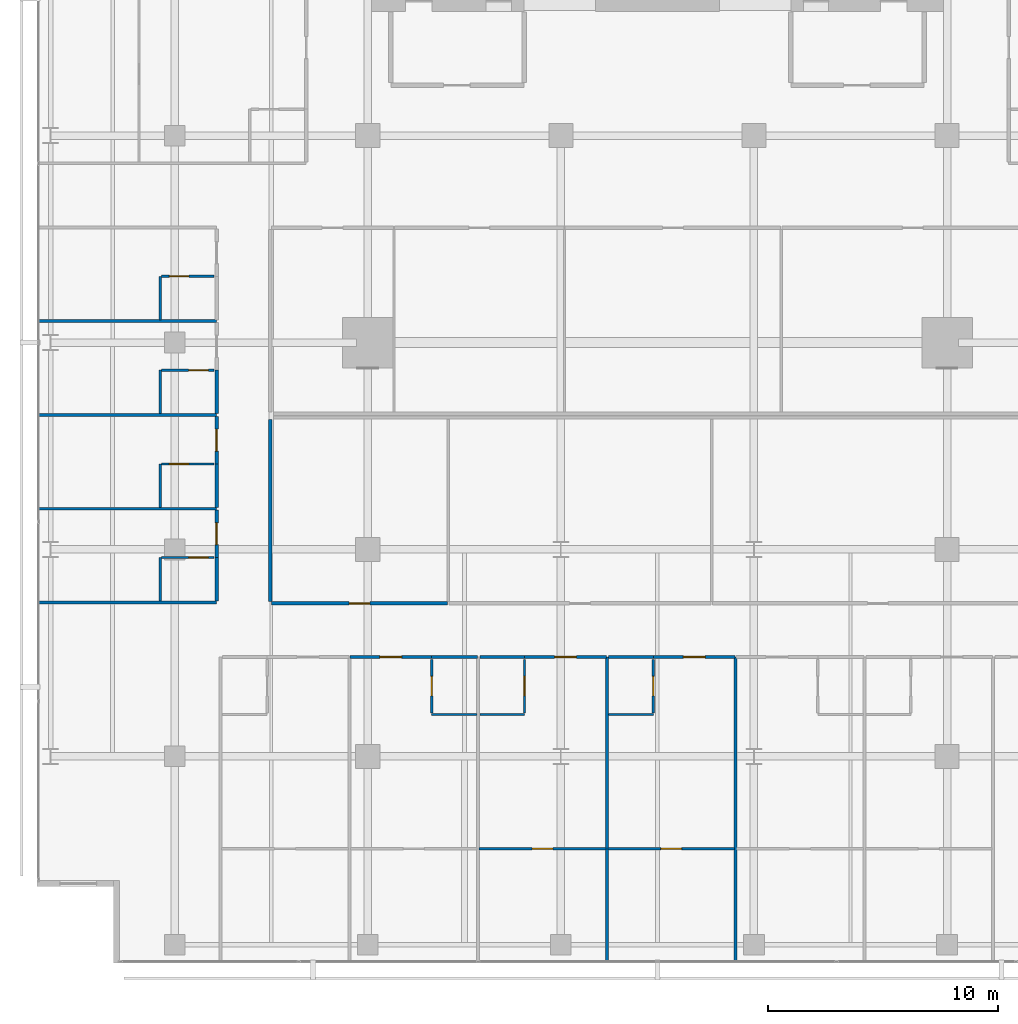
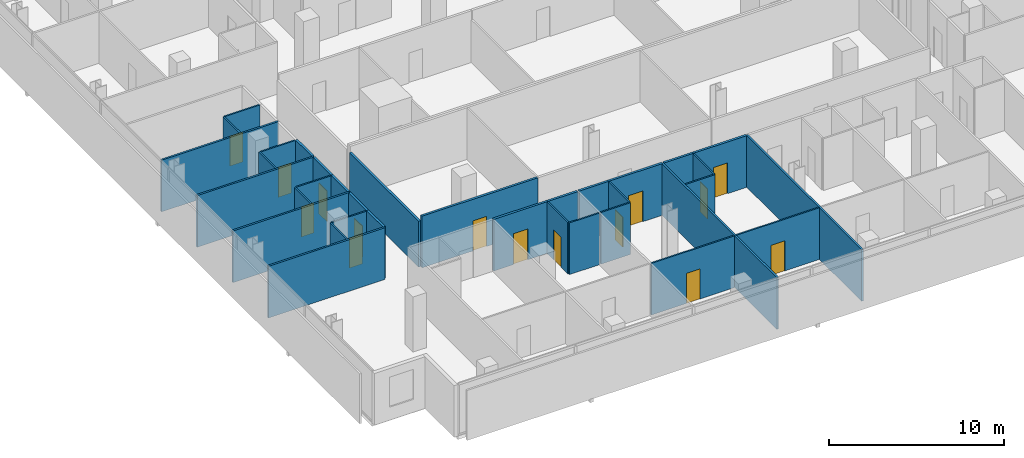
# One storey, part 33 of 40: 35 walls, 15 doors, 15 openings.
"""IFC4 building model written with IfcOpenShell, lengths in metres."""

from ifc_helpers import new_model, si_unit, direction, frame, frame_2d, origin, place, context, subcontext, project, spatial, rectangle, extrude, material, layer, layer_set, type_object, element, fill, save


model = new_model("IFC4")

# Units and contexts
model_context = context("Model", 3, precision=1e-05, world=origin(), true_north=direction((0.0, 1.0)))
body_context = subcontext(model_context, "Body", "Model", "MODEL_VIEW")
ifc_project = project(units=[si_unit("LENGTHUNIT", "METRE"), si_unit("AREAUNIT", "SQUARE_METRE"), si_unit("VOLUMEUNIT", "CUBIC_METRE"), si_unit("PLANEANGLEUNIT", "RADIAN"), si_unit("MASSUNIT", "GRAM", prefix="KILO")], contexts=[model_context])

# Site, building, storey
site_placement = place(None, origin())
site = spatial("IfcSite", under=ifc_project, at=site_placement, CompositionType="ELEMENT")
building_placement = place(site_placement, origin())
building = spatial("IfcBuilding", under=site, at=building_placement, Name="Maruvema Waterfront Hotel and Observation Tower", CompositionType="ELEMENT")
storey_placement = place(building_placement, frame((0.0, 0.0, 57.75)))
storey = spatial("IfcBuildingStorey", under=building, at=storey_placement, Name="L13", CompositionType="ELEMENT", Elevation=57.75)

# Wall
ifc_material_1 = material(Name="Twin-stud acoustic gypsum drywall", Category="gypsum")
ifc_layer_1 = layer(ifc_material_1, 0.14990234375, Name="Acoustic Corridor and Suite Demising Wall 150 mm")
ifc_layer_set_1 = layer_set([ifc_layer_1], Name="Twin-stud acoustic gypsum drywall")
wall_type_1 = type_object("IfcWallType", Name="Acoustic Corridor and Suite Demising Wall 150 mm", PredefinedType="PARTITIONING", material=ifc_layer_set_1)
wall_1_placement = place(storey_placement, frame((20.949951171875, 15.72998046875, 0.0), z_axis=(0.0, 0.0, 1.0), x_axis=(0.0, 1.0, 0.0)))
element("IfcWall", 1, at=wall_1_placement, inside=storey, type_object=wall_type_1, Name="L13 L13-INTS West Wall 023", PredefinedType="PARTITIONING", context=body_context, shape_type="SweptSolid", body=[
    extrude(rectangle(XDim=7.929931640625, YDim=0.14990234375, at=frame_2d((3.96484375, 0.0))), origin(), (0.0, 0.0, 1.0), 3.20703125),
])

# Wall, opening, door
wall_2_placement = place(storey_placement, frame((21.010009765625, 15.64990234375, 0.0), z_axis=(0.0, 0.0, 1.0), x_axis=(1.0, 0.0, 0.0)))
wall_2 = element("IfcWall", 2, at=wall_2_placement, inside=storey, type_object=wall_type_1, Name="L13 L13-INTS Front 1 025", PredefinedType="PARTITIONING", context=body_context, shape_type="SweptSolid", body=[
    extrude(rectangle(XDim=7.660888671875, YDim=0.14990234375, at=frame_2d((3.83056640625, 0.0))), origin(), (0.0, 0.0, 1.0), 3.610107421875),
])
opening_1_placement = place(wall_2_placement, frame((3.380615234375, 0.0, 0.0)))
opening_1 = element("IfcOpeningElement", 3, at=opening_1_placement, cuts=wall_2, Name="Opening DR-090", PredefinedType="OPENING", context=body_context, shape_type="SweptSolid", body=[
    extrude(rectangle(XDim=0.89990234375, YDim=2.10009765625, at=frame_2d((0.449951171875, 1.050048828125))), frame((0.0, 0.0849609375, 0.0), z_axis=(0.0, -1.0, 0.0), x_axis=(1.0, 0.0, 0.0)), (0.0, 0.0, 1.0), 0.169921875),
])
ifc_material_2 = material(Name="Solid-core lacquered timber leaf", Category="wood")
door_type_1 = type_object("IfcDoorType", Name="Accessible Toilet and Room Door 900x2100 mm", OperationType="NOTDEFINED", PredefinedType="DOOR", material=ifc_material_2)
door_1_placement = place(opening_1_placement, frame((0.89990234375, 0.0, 0.0), z_axis=(0.0, 0.0, 1.0), x_axis=(-1.0, 0.0, 0.0)))
door_1 = element("IfcDoor", 4, at=door_1_placement, inside=storey, type_object=door_type_1, Name="L13 Executive Business Office Door", OperationType="SINGLE_SWING_LEFT", OverallHeight=2.10009765625, OverallWidth=0.89990234375, PredefinedType="DOOR", context=body_context, shape_type="SweptSolid", body=[
    extrude(rectangle(XDim=0.89990234375, YDim=2.10009765625, at=frame_2d((0.449951171875, 1.050048828125))), frame((0.0, 0.02490234375, 0.0), z_axis=(0.0, -1.0, 0.0), x_axis=(1.0, 0.0, 0.0)), (0.0, 0.0, 1.0), 0.050048828125),
])
fill(opening_1, door_1)

# Wall
wall_3_placement = place(storey_placement, frame((27.97998046875, 13.320068359375, 0.0), z_axis=(0.0, 0.0, 1.0), x_axis=(1.0, 0.0, 0.0)))
element("IfcWall", 5, at=wall_3_placement, inside=storey, type_object=wall_type_1, Name="L13 Bath L13-S2 Back Wall 038", PredefinedType="PARTITIONING", context=body_context, shape_type="SweptSolid", body=[
    extrude(rectangle(XDim=2.0, YDim=0.14990234375, at=frame_2d((1.0, 0.0))), origin(), (0.0, 0.0, 1.0), 3.610107421875),
])

# Wall, opening, door
wall_4_placement = place(storey_placement, frame((24.419921875, 13.320068359375, 0.0), z_axis=(0.0, 0.0, 1.0), x_axis=(1.0, 0.0, 0.0)))
wall_4 = element("IfcWall", 6, at=wall_4_placement, inside=storey, type_object=wall_type_1, Name="L13 Unit L13-S2 Corridor Wall 041", PredefinedType="PARTITIONING", context=body_context, shape_type="SweptSolid", body=[
    extrude(rectangle(XDim=3.56005859375, YDim=0.14990234375, at=frame_2d((1.780029296875, 0.0))), origin(), (0.0, 0.0, 1.0), 3.610107421875),
])
opening_2_placement = place(wall_4_placement, frame((1.304931640625, 0.0, 0.0)))
opening_2 = element("IfcOpeningElement", 7, at=opening_2_placement, cuts=wall_4, Name="Opening DR-095", PredefinedType="OPENING", context=body_context, shape_type="SweptSolid", body=[
    extrude(rectangle(XDim=0.949951171875, YDim=2.14990234375, at=frame_2d((0.47509765625, 1.074951171875))), frame((0.0, 0.0849609375, 0.0), z_axis=(0.0, -1.0, 0.0), x_axis=(1.0, 0.0, 0.0)), (0.0, 0.0, 1.0), 0.169921875),
])
ifc_material_3 = material(Name="Acoustic solid-core hardwood timber leaf", Category="wood")
door_type_2 = type_object("IfcDoorType", Name="Guestroom Entrance Fire Door 950x2150 mm", OperationType="NOTDEFINED", PredefinedType="DOOR", material=ifc_material_3)
door_2_placement = place(opening_2_placement, frame((0.949951171875, 0.0, 0.0), z_axis=(0.0, 0.0, 1.0), x_axis=(-1.0, 0.0, 0.0)))
door_2 = element("IfcDoor", 8, at=door_2_placement, inside=storey, type_object=door_type_2, Name="L13 Unit L13-S2 Entrance Door", OperationType="SINGLE_SWING_RIGHT", OverallHeight=2.14990234375, OverallWidth=0.949951171875, PredefinedType="DOOR", context=body_context, shape_type="SweptSolid", body=[
    extrude(rectangle(XDim=0.949951171875, YDim=2.14990234375, at=frame_2d((0.47509765625, 1.074951171875))), frame((0.0, 0.02490234375, 0.0), z_axis=(0.0, -1.0, 0.0), x_axis=(1.0, 0.0, 0.0)), (0.0, 0.0, 1.0), 0.050048828125),
])
fill(opening_2, door_2)

# Wall
wall_5_placement = place(storey_placement, frame((30.080078125, 13.320068359375, 0.0), z_axis=(0.0, 0.0, 1.0), x_axis=(1.0, 0.0, 0.0)))
element("IfcWall", 9, at=wall_5_placement, inside=storey, type_object=wall_type_1, Name="L13 Bath L13-S3 Back Wall 044", PredefinedType="PARTITIONING", context=body_context, shape_type="SweptSolid", body=[
    extrude(rectangle(XDim=1.93994140625, YDim=0.14990234375, at=frame_2d((0.969970703125, 0.0))), origin(), (0.0, 0.0, 1.0), 3.610107421875),
])

# Wall, opening, door
wall_6_placement = place(storey_placement, frame((32.02001953125, 13.320068359375, 0.0), z_axis=(0.0, 0.0, 1.0), x_axis=(1.0, 0.0, 0.0)))
wall_6 = element("IfcWall", 10, at=wall_6_placement, inside=storey, type_object=wall_type_1, Name="L13 Unit L13-S3 Corridor Wall 047", PredefinedType="PARTITIONING", context=body_context, shape_type="SweptSolid", body=[
    extrude(rectangle(XDim=3.56005859375, YDim=0.14990234375, at=frame_2d((1.780029296875, 0.0))), origin(), (0.0, 0.0, 1.0), 3.610107421875),
])
opening_3_placement = place(wall_6_placement, frame((1.304931640625, 0.0, 0.0)))
opening_3 = element("IfcOpeningElement", 11, at=opening_3_placement, cuts=wall_6, Name="Opening DR-095", PredefinedType="OPENING", context=body_context, shape_type="SweptSolid", body=[
    extrude(rectangle(XDim=0.949951171875, YDim=2.14990234375, at=frame_2d((0.47509765625, 1.074951171875))), frame((0.0, 0.0849609375, 0.0), z_axis=(0.0, -1.0, 0.0), x_axis=(1.0, 0.0, 0.0)), (0.0, 0.0, 1.0), 0.169921875),
])
door_3_placement = place(opening_3_placement, frame((0.949951171875, 0.0, 0.0), z_axis=(0.0, 0.0, 1.0), x_axis=(-1.0, 0.0, 0.0)))
door_3 = element("IfcDoor", 12, at=door_3_placement, inside=storey, type_object=door_type_2, Name="L13 Unit L13-S3 Entrance Door", OperationType="SINGLE_SWING_LEFT", OverallHeight=2.14990234375, OverallWidth=0.949951171875, PredefinedType="DOOR", context=body_context, shape_type="SweptSolid", body=[
    extrude(rectangle(XDim=0.949951171875, YDim=2.14990234375, at=frame_2d((0.47509765625, 1.074951171875))), frame((0.0, 0.02490234375, 0.0), z_axis=(0.0, -1.0, 0.0), x_axis=(1.0, 0.0, 0.0)), (0.0, 0.0, 1.0), 0.050048828125),
])
fill(opening_3, door_3)

# Wall
wall_7_placement = place(storey_placement, frame((35.679931640625, 13.320068359375, 0.0), z_axis=(0.0, 0.0, 1.0), x_axis=(1.0, 0.0, 0.0)))
element("IfcWall", 13, at=wall_7_placement, inside=storey, type_object=wall_type_1, Name="L13 Bath L13-S4 Back Wall 050", PredefinedType="PARTITIONING", context=body_context, shape_type="SweptSolid", body=[
    extrude(rectangle(XDim=1.940185546875, YDim=0.14990234375, at=frame_2d((0.97021484375, 0.0))), origin(), (0.0, 0.0, 1.0), 3.610107421875),
])

# Wall, opening, door
wall_8_placement = place(storey_placement, frame((37.6201171875, 13.320068359375, 0.0), z_axis=(0.0, 0.0, 1.0), x_axis=(1.0, 0.0, 0.0)))
wall_8 = element("IfcWall", 14, at=wall_8_placement, inside=storey, type_object=wall_type_1, Name="L13 Unit L13-S4 Corridor Wall 053", PredefinedType="PARTITIONING", context=body_context, shape_type="SweptSolid", body=[
    extrude(rectangle(XDim=3.559814453125, YDim=0.14990234375, at=frame_2d((1.77978515625, 0.0))), origin(), (0.0, 0.0, 1.0), 3.610107421875),
])
opening_4_placement = place(wall_8_placement, frame((1.304931640625, 0.0, 0.0)))
opening_4 = element("IfcOpeningElement", 15, at=opening_4_placement, cuts=wall_8, Name="Opening DR-095", PredefinedType="OPENING", context=body_context, shape_type="SweptSolid", body=[
    extrude(rectangle(XDim=0.949951171875, YDim=2.14990234375, at=frame_2d((0.47509765625, 1.074951171875))), frame((0.0, 0.0849609375, 0.0), z_axis=(0.0, -1.0, 0.0), x_axis=(1.0, 0.0, 0.0)), (0.0, 0.0, 1.0), 0.169921875),
])
door_4_placement = place(opening_4_placement, frame((0.949951171875, 0.0, 0.0), z_axis=(0.0, 0.0, 1.0), x_axis=(-1.0, 0.0, 0.0)))
door_4 = element("IfcDoor", 16, at=door_4_placement, inside=storey, type_object=door_type_2, Name="L13 Unit L13-S4 Entrance Door", OperationType="SINGLE_SWING_RIGHT", OverallHeight=2.14990234375, OverallWidth=0.949951171875, PredefinedType="DOOR", context=body_context, shape_type="SweptSolid", body=[
    extrude(rectangle(XDim=0.949951171875, YDim=2.14990234375, at=frame_2d((0.47509765625, 1.074951171875))), frame((0.0, 0.02490234375, 0.0), z_axis=(0.0, -1.0, 0.0), x_axis=(1.0, 0.0, 0.0)), (0.0, 0.0, 1.0), 0.050048828125),
])
fill(opening_4, door_4)

# Wall
wall_9_placement = place(storey_placement, frame((18.6201171875, 15.760009765625, 0.0), z_axis=(0.0, 0.0, 1.0), x_axis=(0.0, 1.0, 0.0)))
element("IfcWall", 17, at=wall_9_placement, inside=storey, type_object=wall_type_1, Name="L13 Bath L13-W1 Wall 076", PredefinedType="PARTITIONING", context=body_context, shape_type="SweptSolid", body=[
    extrude(rectangle(XDim=1.889892578125, YDim=0.14990234375, at=frame_2d((0.94482421875, 0.0))), origin(), (0.0, 0.0, 1.0), 3.610107421875),
])

# Wall, opening, door
wall_10_placement = place(storey_placement, frame((18.6201171875, 17.64990234375, 0.0), z_axis=(0.0, 0.0, 1.0), x_axis=(0.0, 1.0, 0.0)))
wall_10 = element("IfcWall", 18, at=wall_10_placement, inside=storey, type_object=wall_type_1, Name="L13 Room L13-W1 Corridor Wall 077", PredefinedType="PARTITIONING", context=body_context, shape_type="SweptSolid", body=[
    extrude(rectangle(XDim=2.06005859375, YDim=0.14990234375, at=frame_2d((1.030029296875, 0.0))), origin(), (0.0, 0.0, 1.0), 3.610107421875),
])
opening_5_placement = place(wall_10_placement, frame((0.554931640625, 0.0, 0.0)))
opening_5 = element("IfcOpeningElement", 19, at=opening_5_placement, cuts=wall_10, Name="Opening DR-095", PredefinedType="OPENING", context=body_context, shape_type="SweptSolid", body=[
    extrude(rectangle(XDim=0.949951171875, YDim=2.14990234375, at=frame_2d((0.47509765625, 1.074951171875))), frame((0.0, 0.0849609375, 0.0), z_axis=(0.0, -1.0, 0.0), x_axis=(1.0, 0.0, 0.0)), (0.0, 0.0, 1.0), 0.169921875),
])
door_5_placement = place(opening_5_placement, origin())
door_5 = element("IfcDoor", 20, at=door_5_placement, inside=storey, type_object=door_type_2, Name="L13 Room L13-W1 Entrance Door", OperationType="SINGLE_SWING_LEFT", OverallHeight=2.14990234375, OverallWidth=0.949951171875, PredefinedType="DOOR", context=body_context, shape_type="SweptSolid", body=[
    extrude(rectangle(XDim=0.949951171875, YDim=2.14990234375, at=frame_2d((0.47509765625, 1.074951171875))), frame((0.0, 0.02490234375, 0.0), z_axis=(0.0, -1.0, 0.0), x_axis=(1.0, 0.0, 0.0)), (0.0, 0.0, 1.0), 0.050048828125),
])
fill(opening_5, door_5)

# Wall
wall_11_placement = place(storey_placement, frame((18.6201171875, 19.830078125, 0.0), z_axis=(0.0, 0.0, 1.0), x_axis=(0.0, 1.0, 0.0)))
element("IfcWall", 21, at=wall_11_placement, inside=storey, type_object=wall_type_1, Name="L13 Bath L13-W2 Wall 086", PredefinedType="PARTITIONING", context=body_context, shape_type="SweptSolid", body=[
    extrude(rectangle(XDim=1.889892578125, YDim=0.14990234375, at=frame_2d((0.94482421875, 0.0))), origin(), (0.0, 0.0, 1.0), 3.610107421875),
])

# Wall, opening, door
wall_12_placement = place(storey_placement, frame((18.6201171875, 21.719970703125, 0.0), z_axis=(0.0, 0.0, 1.0), x_axis=(0.0, 1.0, 0.0)))
wall_12 = element("IfcWall", 22, at=wall_12_placement, inside=storey, type_object=wall_type_1, Name="L13 Room L13-W2 Corridor Wall 087", PredefinedType="PARTITIONING", context=body_context, shape_type="SweptSolid", body=[
    extrude(rectangle(XDim=2.070068359375, YDim=0.14990234375, at=frame_2d((1.03515625, 0.0))), origin(), (0.0, 0.0, 1.0), 3.610107421875),
])
opening_6_placement = place(wall_12_placement, frame((0.56005859375, 0.0, 0.0)))
opening_6 = element("IfcOpeningElement", 23, at=opening_6_placement, cuts=wall_12, Name="Opening DR-095", PredefinedType="OPENING", context=body_context, shape_type="SweptSolid", body=[
    extrude(rectangle(XDim=0.949951171875, YDim=2.14990234375, at=frame_2d((0.47509765625, 1.074951171875))), frame((0.0, 0.0849609375, 0.0), z_axis=(0.0, -1.0, 0.0), x_axis=(1.0, 0.0, 0.0)), (0.0, 0.0, 1.0), 0.169921875),
])
door_6_placement = place(opening_6_placement, origin())
door_6 = element("IfcDoor", 24, at=door_6_placement, inside=storey, type_object=door_type_2, Name="L13 Room L13-W2 Entrance Door", OperationType="SINGLE_SWING_LEFT", OverallHeight=2.14990234375, OverallWidth=0.949951171875, PredefinedType="DOOR", context=body_context, shape_type="SweptSolid", body=[
    extrude(rectangle(XDim=0.949951171875, YDim=2.14990234375, at=frame_2d((0.47509765625, 1.074951171875))), frame((0.0, 0.02490234375, 0.0), z_axis=(0.0, -1.0, 0.0), x_axis=(1.0, 0.0, 0.0)), (0.0, 0.0, 1.0), 0.050048828125),
])
fill(opening_6, door_6)

# Walls
wall_13_placement = place(storey_placement, frame((18.6201171875, 23.909912109375, 0.0), z_axis=(0.0, 0.0, 1.0), x_axis=(0.0, 1.0, 0.0)))
element("IfcWall", 25, at=wall_13_placement, inside=storey, type_object=wall_type_1, Name="L13 Bath L13-W3 Wall 096", PredefinedType="PARTITIONING", context=body_context, shape_type="SweptSolid", body=[
    extrude(rectangle(XDim=1.89013671875, YDim=0.14990234375, at=frame_2d((0.945068359375, 0.0))), origin(), (0.0, 0.0, 1.0), 3.610107421875),
])
ifc_material_4 = material(Name="Moisture-resistant cement-board drywall", Category="gypsum")
ifc_layer_2 = layer(ifc_material_4, 0.10009765625, Name="En-Suite Moisture-Resistant Partition 100 mm")
ifc_layer_set_2 = layer_set([ifc_layer_2], Name="Moisture-resistant cement-board drywall")
wall_type_2 = type_object("IfcWallType", Name="En-Suite Moisture-Resistant Partition 100 mm", PredefinedType="PARTITIONING", material=ifc_layer_set_2)
wall_14_placement = place(storey_placement, frame((27.97998046875, 10.820068359375, 0.0), z_axis=(0.0, 0.0, 1.0), x_axis=(1.0, 0.0, 0.0)))
element("IfcWall", 26, at=wall_14_placement, inside=storey, type_object=wall_type_2, Name="L13 En-Suite L13-S2 South 039", PredefinedType="PARTITIONING", context=body_context, shape_type="SweptSolid", body=[
    extrude(rectangle(XDim=1.97998046875, YDim=0.10009765625, at=frame_2d((0.989990234375, 0.0))), origin(), (0.0, 0.0, 1.0), 3.610107421875),
])

# Wall, opening, door
wall_15_placement = place(storey_placement, frame((27.97998046875, 10.8798828125, 0.0), z_axis=(0.0, 0.0, 1.0), x_axis=(0.0, 1.0, 0.0)))
wall_15 = element("IfcWall", 27, at=wall_15_placement, inside=storey, type_object=wall_type_2, Name="L13 En-Suite L13-S2 West 040", PredefinedType="PARTITIONING", context=body_context, shape_type="SweptSolid", body=[
    extrude(rectangle(XDim=2.340087890625, YDim=0.10009765625, at=frame_2d((1.169921875, 0.0))), origin(), (0.0, 0.0, 1.0), 3.610107421875),
])
opening_7_placement = place(wall_15_placement, frame((0.7451171875, 0.0, 0.0)))
opening_7 = element("IfcOpeningElement", 28, at=opening_7_placement, cuts=wall_15, Name="Opening DR-085", PredefinedType="OPENING", context=body_context, shape_type="SweptSolid", body=[
    extrude(rectangle(XDim=0.85009765625, YDim=2.10009765625, at=frame_2d((0.425048828125, 1.050048828125))), frame((0.0, 0.06005859375, 0.0), z_axis=(0.0, -1.0, 0.0), x_axis=(1.0, 0.0, 0.0)), (0.0, 0.0, 1.0), 0.1201171875),
])
ifc_material_5 = material(Name="Moisture-resistant solid timber leaf", Category="wood")
door_type_3 = type_object("IfcDoorType", Name="En-Suite Bathroom Door 850x2100 mm", OperationType="NOTDEFINED", PredefinedType="DOOR", material=ifc_material_5)
door_7_placement = place(opening_7_placement, origin())
door_7 = element("IfcDoor", 29, at=door_7_placement, inside=storey, type_object=door_type_3, Name="L13 En-Suite L13-S2 Door", OperationType="SINGLE_SWING_LEFT", OverallHeight=2.10009765625, OverallWidth=0.85009765625, PredefinedType="DOOR", context=body_context, shape_type="SweptSolid", body=[
    extrude(rectangle(XDim=0.85009765625, YDim=2.10009765625, at=frame_2d((0.425048828125, 1.050048828125))), frame((0.0, 0.02490234375, 0.0), z_axis=(0.0, -1.0, 0.0), x_axis=(1.0, 0.0, 0.0)), (0.0, 0.0, 1.0), 0.050048828125),
])
fill(opening_7, door_7)

# Wall
wall_16_placement = place(storey_placement, frame((30.080078125, 10.820068359375, 0.0), z_axis=(0.0, 0.0, 1.0), x_axis=(1.0, 0.0, 0.0)))
element("IfcWall", 30, at=wall_16_placement, inside=storey, type_object=wall_type_2, Name="L13 En-Suite L13-S3 South 045", PredefinedType="PARTITIONING", context=body_context, shape_type="SweptSolid", body=[
    extrude(rectangle(XDim=1.93994140625, YDim=0.10009765625, at=frame_2d((0.969970703125, 0.0))), origin(), (0.0, 0.0, 1.0), 3.610107421875),
])

# Wall, opening, door
wall_17_placement = place(storey_placement, frame((32.02001953125, 10.8798828125, 0.0), z_axis=(0.0, 0.0, 1.0), x_axis=(0.0, 1.0, 0.0)))
wall_17 = element("IfcWall", 31, at=wall_17_placement, inside=storey, type_object=wall_type_2, Name="L13 En-Suite L13-S3 East 046", PredefinedType="PARTITIONING", context=body_context, shape_type="SweptSolid", body=[
    extrude(rectangle(XDim=2.340087890625, YDim=0.10009765625, at=frame_2d((1.169921875, 0.0))), origin(), (0.0, 0.0, 1.0), 3.610107421875),
])
opening_8_placement = place(wall_17_placement, frame((0.7451171875, 0.0, 0.0)))
opening_8 = element("IfcOpeningElement", 32, at=opening_8_placement, cuts=wall_17, Name="Opening DR-085", PredefinedType="OPENING", context=body_context, shape_type="SweptSolid", body=[
    extrude(rectangle(XDim=0.85009765625, YDim=2.10009765625, at=frame_2d((0.425048828125, 1.050048828125))), frame((0.0, 0.06005859375, 0.0), z_axis=(0.0, -1.0, 0.0), x_axis=(1.0, 0.0, 0.0)), (0.0, 0.0, 1.0), 0.1201171875),
])
door_8_placement = place(opening_8_placement, frame((0.85009765625, 0.0, 0.0), z_axis=(0.0, 0.0, 1.0), x_axis=(-1.0, 0.0, 0.0)))
door_8 = element("IfcDoor", 33, at=door_8_placement, inside=storey, type_object=door_type_3, Name="L13 En-Suite L13-S3 Door", OperationType="SINGLE_SWING_RIGHT", OverallHeight=2.10009765625, OverallWidth=0.85009765625, PredefinedType="DOOR", context=body_context, shape_type="SweptSolid", body=[
    extrude(rectangle(XDim=0.85009765625, YDim=2.10009765625, at=frame_2d((0.425048828125, 1.050048828125))), frame((0.0, 0.02490234375, 0.0), z_axis=(0.0, -1.0, 0.0), x_axis=(1.0, 0.0, 0.0)), (0.0, 0.0, 1.0), 0.050048828125),
])
fill(opening_8, door_8)

wall_18_placement = place(storey_placement, frame((30.0400390625, 4.977294921875, 0.0), z_axis=(0.0, 0.0, 1.0), x_axis=(1.0, 0.0, 0.0)))
wall_18 = element("IfcWall", 34, at=wall_18_placement, inside=storey, type_object=wall_type_2, Name="L13 Suite L13-S3 Split 048", PredefinedType="PARTITIONING", context=body_context, shape_type="SweptSolid", body=[
    extrude(rectangle(XDim=5.52001953125, YDim=0.10009765625, at=frame_2d((2.760009765625, 0.0))), origin(), (0.0, 0.0, 1.0), 3.610107421875),
])
opening_9_placement = place(wall_18_placement, frame((2.31005859375, 0.0, 0.0)))
opening_9 = element("IfcOpeningElement", 35, at=opening_9_placement, cuts=wall_18, Name="Opening DR-090", PredefinedType="OPENING", context=body_context, shape_type="SweptSolid", body=[
    extrude(rectangle(XDim=0.89990234375, YDim=2.10009765625, at=frame_2d((0.449951171875, 1.050048828125))), frame((0.0, 0.06005859375, 0.0), z_axis=(0.0, -1.0, 0.0), x_axis=(1.0, 0.0, 0.0)), (0.0, 0.0, 1.0), 0.1201171875),
])
door_9_placement = place(opening_9_placement, frame((0.89990234375, 0.0, 0.0), z_axis=(0.0, 0.0, 1.0), x_axis=(-1.0, 0.0, 0.0)))
door_9 = element("IfcDoor", 36, at=door_9_placement, inside=storey, type_object=door_type_1, Name="L13 Suite L13-S3 Bedroom Door", OperationType="SINGLE_SWING_RIGHT", OverallHeight=2.10009765625, OverallWidth=0.89990234375, PredefinedType="DOOR", context=body_context, shape_type="SweptSolid", body=[
    extrude(rectangle(XDim=0.89990234375, YDim=2.10009765625, at=frame_2d((0.449951171875, 1.050048828125))), frame((0.0, 0.02490234375, 0.0), z_axis=(0.0, -1.0, 0.0), x_axis=(1.0, 0.0, 0.0)), (0.0, 0.0, 1.0), 0.050048828125),
])
fill(opening_9, door_9)

# Wall
wall_19_placement = place(storey_placement, frame((35.679931640625, 10.820068359375, 0.0), z_axis=(0.0, 0.0, 1.0), x_axis=(1.0, 0.0, 0.0)))
element("IfcWall", 37, at=wall_19_placement, inside=storey, type_object=wall_type_2, Name="L13 En-Suite L13-S4 South 051", PredefinedType="PARTITIONING", context=body_context, shape_type="SweptSolid", body=[
    extrude(rectangle(XDim=1.940185546875, YDim=0.10009765625, at=frame_2d((0.97021484375, 0.0))), origin(), (0.0, 0.0, 1.0), 3.610107421875),
])

# Wall, opening, door
wall_20_placement = place(storey_placement, frame((37.6201171875, 10.8798828125, 0.0), z_axis=(0.0, 0.0, 1.0), x_axis=(0.0, 1.0, 0.0)))
wall_20 = element("IfcWall", 38, at=wall_20_placement, inside=storey, type_object=wall_type_2, Name="L13 En-Suite L13-S4 East 052", PredefinedType="PARTITIONING", context=body_context, shape_type="SweptSolid", body=[
    extrude(rectangle(XDim=2.340087890625, YDim=0.10009765625, at=frame_2d((1.169921875, 0.0))), origin(), (0.0, 0.0, 1.0), 3.610107421875),
])
opening_10_placement = place(wall_20_placement, frame((0.7451171875, 0.0, 0.0)))
opening_10 = element("IfcOpeningElement", 39, at=opening_10_placement, cuts=wall_20, Name="Opening DR-085", PredefinedType="OPENING", context=body_context, shape_type="SweptSolid", body=[
    extrude(rectangle(XDim=0.85009765625, YDim=2.10009765625, at=frame_2d((0.425048828125, 1.050048828125))), frame((0.0, 0.06005859375, 0.0), z_axis=(0.0, -1.0, 0.0), x_axis=(1.0, 0.0, 0.0)), (0.0, 0.0, 1.0), 0.1201171875),
])
door_10_placement = place(opening_10_placement, frame((0.85009765625, 0.0, 0.0), z_axis=(0.0, 0.0, 1.0), x_axis=(-1.0, 0.0, 0.0)))
door_10 = element("IfcDoor", 40, at=door_10_placement, inside=storey, type_object=door_type_3, Name="L13 En-Suite L13-S4 Door", OperationType="SINGLE_SWING_LEFT", OverallHeight=2.10009765625, OverallWidth=0.85009765625, PredefinedType="DOOR", context=body_context, shape_type="SweptSolid", body=[
    extrude(rectangle(XDim=0.85009765625, YDim=2.10009765625, at=frame_2d((0.425048828125, 1.050048828125))), frame((0.0, 0.02490234375, 0.0), z_axis=(0.0, -1.0, 0.0), x_axis=(1.0, 0.0, 0.0)), (0.0, 0.0, 1.0), 0.050048828125),
])
fill(opening_10, door_10)

wall_21_placement = place(storey_placement, frame((35.639892578125, 4.977294921875, 0.0), z_axis=(0.0, 0.0, 1.0), x_axis=(1.0, 0.0, 0.0)))
wall_21 = element("IfcWall", 41, at=wall_21_placement, inside=storey, type_object=wall_type_2, Name="L13 Suite L13-S4 Split 054", PredefinedType="PARTITIONING", context=body_context, shape_type="SweptSolid", body=[
    extrude(rectangle(XDim=5.52001953125, YDim=0.10009765625, at=frame_2d((2.760009765625, 0.0))), origin(), (0.0, 0.0, 1.0), 3.610107421875),
])
opening_11_placement = place(wall_21_placement, frame((2.31005859375, 0.0, 0.0)))
opening_11 = element("IfcOpeningElement", 42, at=opening_11_placement, cuts=wall_21, Name="Opening DR-090", PredefinedType="OPENING", context=body_context, shape_type="SweptSolid", body=[
    extrude(rectangle(XDim=0.89990234375, YDim=2.10009765625, at=frame_2d((0.449951171875, 1.050048828125))), frame((0.0, 0.06005859375, 0.0), z_axis=(0.0, -1.0, 0.0), x_axis=(1.0, 0.0, 0.0)), (0.0, 0.0, 1.0), 0.1201171875),
])
door_11_placement = place(opening_11_placement, frame((0.89990234375, 0.0, 0.0), z_axis=(0.0, 0.0, 1.0), x_axis=(-1.0, 0.0, 0.0)))
door_11 = element("IfcDoor", 43, at=door_11_placement, inside=storey, type_object=door_type_1, Name="L13 Suite L13-S4 Bedroom Door", OperationType="SINGLE_SWING_LEFT", OverallHeight=2.10009765625, OverallWidth=0.89990234375, PredefinedType="DOOR", context=body_context, shape_type="SweptSolid", body=[
    extrude(rectangle(XDim=0.89990234375, YDim=2.10009765625, at=frame_2d((0.449951171875, 1.050048828125))), frame((0.0, 0.02490234375, 0.0), z_axis=(0.0, -1.0, 0.0), x_axis=(1.0, 0.0, 0.0)), (0.0, 0.0, 1.0), 0.050048828125),
])
fill(opening_11, door_11)

# Wall
wall_22_placement = place(storey_placement, frame((16.169921875, 15.760009765625, 0.0), z_axis=(0.0, 0.0, 1.0), x_axis=(0.0, 1.0, 0.0)))
element("IfcWall", 44, at=wall_22_placement, inside=storey, type_object=wall_type_2, Name="L13 En-Suite L13-W1 W 078", PredefinedType="PARTITIONING", context=body_context, shape_type="SweptSolid", body=[
    extrude(rectangle(XDim=1.889892578125, YDim=0.10009765625, at=frame_2d((0.94482421875, 0.0))), origin(), (0.0, 0.0, 1.0), 3.610107421875),
])

# Wall, opening, door
wall_23_placement = place(storey_placement, frame((16.219970703125, 17.64990234375, 0.0), z_axis=(0.0, 0.0, 1.0), x_axis=(1.0, 0.0, 0.0)))
wall_23 = element("IfcWall", 45, at=wall_23_placement, inside=storey, type_object=wall_type_2, Name="L13 En-Suite L13-W1 N 079", PredefinedType="PARTITIONING", context=body_context, shape_type="SweptSolid", body=[
    extrude(rectangle(XDim=2.300048828125, YDim=0.10009765625, at=frame_2d((1.14990234375, 0.0))), origin(), (0.0, 0.0, 1.0), 3.610107421875),
])
opening_12_placement = place(wall_23_placement, frame((1.18994140625, 0.0, 0.0)))
opening_12 = element("IfcOpeningElement", 46, at=opening_12_placement, cuts=wall_23, Name="Opening DR-085", PredefinedType="OPENING", context=body_context, shape_type="SweptSolid", body=[
    extrude(rectangle(XDim=0.85009765625, YDim=2.10009765625, at=frame_2d((0.425048828125, 1.050048828125))), frame((0.0, 0.06005859375, 0.0), z_axis=(0.0, -1.0, 0.0), x_axis=(1.0, 0.0, 0.0)), (0.0, 0.0, 1.0), 0.1201171875),
])
door_12_placement = place(opening_12_placement, origin())
door_12 = element("IfcDoor", 47, at=door_12_placement, inside=storey, type_object=door_type_3, Name="L13 En-Suite L13-W1 Door", OperationType="SINGLE_SWING_RIGHT", OverallHeight=2.10009765625, OverallWidth=0.85009765625, PredefinedType="DOOR", context=body_context, shape_type="SweptSolid", body=[
    extrude(rectangle(XDim=0.85009765625, YDim=2.10009765625, at=frame_2d((0.425048828125, 1.050048828125))), frame((0.0, 0.02490234375, 0.0), z_axis=(0.0, -1.0, 0.0), x_axis=(1.0, 0.0, 0.0)), (0.0, 0.0, 1.0), 0.050048828125),
])
fill(opening_12, door_12)

# Wall
wall_24_placement = place(storey_placement, frame((16.169921875, 19.830078125, 0.0), z_axis=(0.0, 0.0, 1.0), x_axis=(0.0, 1.0, 0.0)))
element("IfcWall", 48, at=wall_24_placement, inside=storey, type_object=wall_type_2, Name="L13 En-Suite L13-W2 W 088", PredefinedType="PARTITIONING", context=body_context, shape_type="SweptSolid", body=[
    extrude(rectangle(XDim=1.889892578125, YDim=0.10009765625, at=frame_2d((0.94482421875, 0.0))), origin(), (0.0, 0.0, 1.0), 3.610107421875),
])

# Wall, opening, door
wall_25_placement = place(storey_placement, frame((16.219970703125, 21.719970703125, 0.0), z_axis=(0.0, 0.0, 1.0), x_axis=(1.0, 0.0, 0.0)))
wall_25 = element("IfcWall", 49, at=wall_25_placement, inside=storey, type_object=wall_type_2, Name="L13 En-Suite L13-W2 N 089", PredefinedType="PARTITIONING", context=body_context, shape_type="SweptSolid", body=[
    extrude(rectangle(XDim=2.300048828125, YDim=0.10009765625, at=frame_2d((1.14990234375, 0.0))), origin(), (0.0, 0.0, 1.0), 3.610107421875),
])
opening_13_placement = place(wall_25_placement, frame((0.35009765625, 0.0, 0.0)))
opening_13 = element("IfcOpeningElement", 50, at=opening_13_placement, cuts=wall_25, Name="Opening DR-085", PredefinedType="OPENING", context=body_context, shape_type="SweptSolid", body=[
    extrude(rectangle(XDim=0.85009765625, YDim=2.10009765625, at=frame_2d((0.425048828125, 1.050048828125))), frame((0.0, 0.06005859375, 0.0), z_axis=(0.0, -1.0, 0.0), x_axis=(1.0, 0.0, 0.0)), (0.0, 0.0, 1.0), 0.1201171875),
])
door_13_placement = place(opening_13_placement, origin())
door_13 = element("IfcDoor", 51, at=door_13_placement, inside=storey, type_object=door_type_3, Name="L13 En-Suite L13-W2 Door", OperationType="SINGLE_SWING_RIGHT", OverallHeight=2.10009765625, OverallWidth=0.85009765625, PredefinedType="DOOR", context=body_context, shape_type="SweptSolid", body=[
    extrude(rectangle(XDim=0.85009765625, YDim=2.10009765625, at=frame_2d((0.425048828125, 1.050048828125))), frame((0.0, 0.02490234375, 0.0), z_axis=(0.0, -1.0, 0.0), x_axis=(1.0, 0.0, 0.0)), (0.0, 0.0, 1.0), 0.050048828125),
])
fill(opening_13, door_13)

# Wall
wall_26_placement = place(storey_placement, frame((16.169921875, 23.909912109375, 0.0), z_axis=(0.0, 0.0, 1.0), x_axis=(0.0, 1.0, 0.0)))
element("IfcWall", 52, at=wall_26_placement, inside=storey, type_object=wall_type_2, Name="L13 En-Suite L13-W3 W 098", PredefinedType="PARTITIONING", context=body_context, shape_type="SweptSolid", body=[
    extrude(rectangle(XDim=1.89013671875, YDim=0.10009765625, at=frame_2d((0.945068359375, 0.0))), origin(), (0.0, 0.0, 1.0), 3.610107421875),
])

# Wall, opening, door
wall_27_placement = place(storey_placement, frame((16.219970703125, 25.800048828125, 0.0), z_axis=(0.0, 0.0, 1.0), x_axis=(1.0, 0.0, 0.0)))
wall_27 = element("IfcWall", 53, at=wall_27_placement, inside=storey, type_object=wall_type_2, Name="L13 En-Suite L13-W3 N 099", PredefinedType="PARTITIONING", context=body_context, shape_type="SweptSolid", body=[
    extrude(rectangle(XDim=2.300048828125, YDim=0.10009765625, at=frame_2d((1.14990234375, 0.0))), origin(), (0.0, 0.0, 1.0), 3.610107421875),
])
opening_14_placement = place(wall_27_placement, frame((1.18994140625, 0.0, 0.0)))
opening_14 = element("IfcOpeningElement", 54, at=opening_14_placement, cuts=wall_27, Name="Opening DR-085", PredefinedType="OPENING", context=body_context, shape_type="SweptSolid", body=[
    extrude(rectangle(XDim=0.85009765625, YDim=2.10009765625, at=frame_2d((0.425048828125, 1.050048828125))), frame((0.0, 0.06005859375, 0.0), z_axis=(0.0, -1.0, 0.0), x_axis=(1.0, 0.0, 0.0)), (0.0, 0.0, 1.0), 0.1201171875),
])
door_14_placement = place(opening_14_placement, origin())
door_14 = element("IfcDoor", 55, at=door_14_placement, inside=storey, type_object=door_type_3, Name="L13 En-Suite L13-W3 Door", OperationType="SINGLE_SWING_RIGHT", OverallHeight=2.10009765625, OverallWidth=0.85009765625, PredefinedType="DOOR", context=body_context, shape_type="SweptSolid", body=[
    extrude(rectangle(XDim=0.85009765625, YDim=2.10009765625, at=frame_2d((0.425048828125, 1.050048828125))), frame((0.0, 0.02490234375, 0.0), z_axis=(0.0, -1.0, 0.0), x_axis=(1.0, 0.0, 0.0)), (0.0, 0.0, 1.0), 0.050048828125),
])
fill(opening_14, door_14)

# Wall
wall_28_placement = place(storey_placement, frame((16.169921875, 27.989990234375, 0.0), z_axis=(0.0, 0.0, 1.0), x_axis=(0.0, 1.0, 0.0)))
element("IfcWall", 56, at=wall_28_placement, inside=storey, type_object=wall_type_2, Name="L13 En-Suite L13-W4 W 108", PredefinedType="PARTITIONING", context=body_context, shape_type="SweptSolid", body=[
    extrude(rectangle(XDim=1.889892578125, YDim=0.10009765625, at=frame_2d((0.94482421875, 0.0))), origin(), (0.0, 0.0, 1.0), 3.610107421875),
])

# Wall, opening, door
wall_29_placement = place(storey_placement, frame((16.219970703125, 29.8798828125, 0.0), z_axis=(0.0, 0.0, 1.0), x_axis=(1.0, 0.0, 0.0)))
wall_29 = element("IfcWall", 57, at=wall_29_placement, inside=storey, type_object=wall_type_2, Name="L13 En-Suite L13-W4 N 109", PredefinedType="PARTITIONING", context=body_context, shape_type="SweptSolid", body=[
    extrude(rectangle(XDim=2.300048828125, YDim=0.10009765625, at=frame_2d((1.14990234375, 0.0))), origin(), (0.0, 0.0, 1.0), 3.610107421875),
])
opening_15_placement = place(wall_29_placement, frame((0.35009765625, 0.0, 0.0)))
opening_15 = element("IfcOpeningElement", 58, at=opening_15_placement, cuts=wall_29, Name="Opening DR-085", PredefinedType="OPENING", context=body_context, shape_type="SweptSolid", body=[
    extrude(rectangle(XDim=0.85009765625, YDim=2.10009765625, at=frame_2d((0.425048828125, 1.050048828125))), frame((0.0, 0.06005859375, 0.0), z_axis=(0.0, -1.0, 0.0), x_axis=(1.0, 0.0, 0.0)), (0.0, 0.0, 1.0), 0.1201171875),
])
door_15_placement = place(opening_15_placement, origin())
door_15 = element("IfcDoor", 59, at=door_15_placement, inside=storey, type_object=door_type_3, Name="L13 En-Suite L13-W4 Door", OperationType="SINGLE_SWING_RIGHT", OverallHeight=2.10009765625, OverallWidth=0.85009765625, PredefinedType="DOOR", context=body_context, shape_type="SweptSolid", body=[
    extrude(rectangle(XDim=0.85009765625, YDim=2.10009765625, at=frame_2d((0.425048828125, 1.050048828125))), frame((0.0, 0.02490234375, 0.0), z_axis=(0.0, -1.0, 0.0), x_axis=(1.0, 0.0, 0.0)), (0.0, 0.0, 1.0), 0.050048828125),
])
fill(opening_15, door_15)

# Walls
ifc_material_6 = material(Name="Acoustic gypsum plasterboard drywall", Category="gypsum")
ifc_layer_3 = layer(ifc_material_6, 0.125, Name="Guestroom Acoustic Demising Wall 125 mm")
ifc_layer_set_3 = layer_set([ifc_layer_3], Name="Acoustic gypsum plasterboard drywall")
wall_type_3 = type_object("IfcWallType", Name="Guestroom Acoustic Demising Wall 125 mm", PredefinedType="PARTITIONING", material=ifc_layer_set_3)
for number, where, z_axis, x_axis, name in (
    (60, (35.60009765625, 0.10009765625, 0.0), (0.0, 0.0, 1.0), (0.0, 1.0, 0.0), "L13 S Demising 4 049"),
    (61, (41.199951171875, 0.10009765625, 0.0), (0.0, 0.0, 1.0), (0.0, 1.0, 0.0), "L13 S Demising 5 055"),
):
    element("IfcWall", number, at=place(storey_placement, frame(where, z_axis=z_axis, x_axis=x_axis)), inside=storey, type_object=wall_type_3, Name=name, PredefinedType="PARTITIONING", context=body_context, shape_type="SweptSolid", body=[
        extrude(rectangle(XDim=13.219970703125, YDim=0.125, at=frame_2d((6.60986328125, 0.0))), origin(), (0.0, 0.0, 1.0), 3.610107421875),
    ])
for number, where, z_axis, x_axis, name in (
    (62, (10.89990234375, 15.699951171875, 0.0), (0.0, 0.0, 1.0), (1.0, 0.0, 0.0), "L13 W Bot End 072"),
    (63, (10.89990234375, 19.77001953125, 0.0), (0.0, 0.0, 1.0), (1.0, 0.0, 0.0), "L13 W Demising 2 084"),
    (64, (10.89990234375, 23.85009765625, 0.0), (0.0, 0.0, 1.0), (1.0, 0.0, 0.0), "L13 W Demising 3 094"),
    (65, (10.89990234375, 27.929931640625, 0.0), (0.0, 0.0, 1.0), (1.0, 0.0, 0.0), "L13 W Demising 4 104"),
):
    element("IfcWall", number, at=place(storey_placement, frame(where, z_axis=z_axis, x_axis=x_axis)), inside=storey, type_object=wall_type_3, Name=name, PredefinedType="PARTITIONING", context=body_context, shape_type="SweptSolid", body=[
        extrude(rectangle(XDim=7.72021484375, YDim=0.125, at=frame_2d((3.860107421875, 0.0))), origin(), (0.0, 0.0, 1.0), 3.610107421875),
    ])

save(model, "model.ifc")
